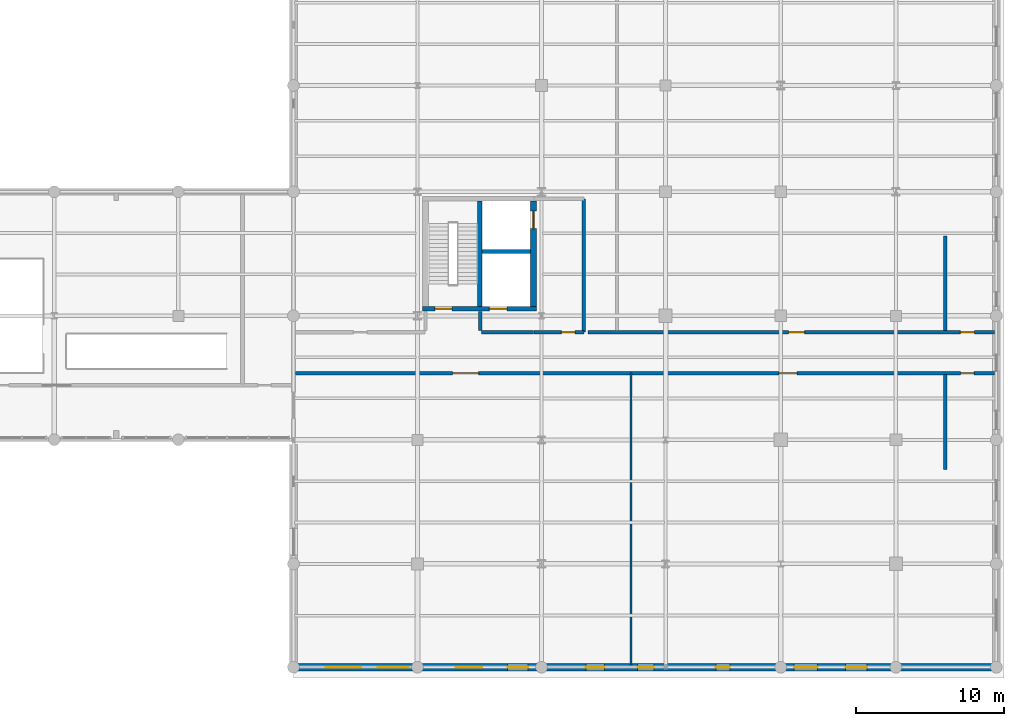
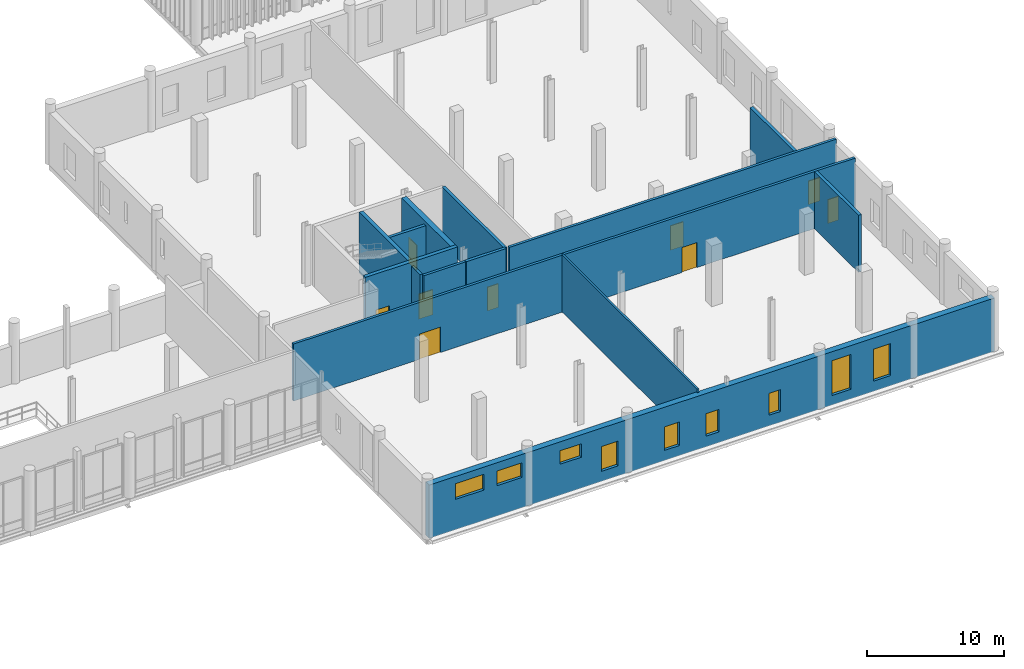
# One storey, part 110 of 128: 14 walls, 9 doors, 9 windows, 18 openings.
"""IFC4 building model written with IfcOpenShell, lengths in metres."""

import ifcopenshell
import ifcopenshell.guid

model = None  # the IFC model being written
_history = None  # IfcOwnerHistory: only IFC2X3 demands one
_inside = {}  # id of a spatial element -> (the spatial element, [elements in it])
_under = {}  # id of a project, library or spatial element -> (it, [spatial elements below it])
_declared = {}  # id of a project -> (the project, [libraries it declares])
_typed = {}  # id of a type object -> (the type object, [elements of that type])
_made_of = {}  # id of a material, layer set ... -> (it, [elements and type objects made of it])


def new_model(schema):
    """Start an empty IFC model of exactly this schema.

    Asked for "IFC4X3", IfcOpenShell would pick the latest addendum, in which some entities
    have other attributes; the version numbers below select the first issue.
    IFC2X3 requires an IfcOwnerHistory on every rooted entity: one is made here for all.
    """
    global model, _history
    if schema == "IFC4X3":
        model = ifcopenshell.file(schema_version=(4, 3, 0, 0))
    else:
        model = ifcopenshell.file(schema=schema)
    _inside.clear()
    _under.clear()
    _declared.clear()
    _typed.clear()
    _made_of.clear()
    _history = None
    if model.schema == "IFC2X3":
        org = make("IfcOrganization", Name="unknown")
        user = make(
            "IfcPersonAndOrganization",
            ThePerson=make("IfcPerson", FamilyName="unknown"),
            TheOrganization=org,
        )
        app = make(
            "IfcApplication",
            ApplicationDeveloper=org,
            Version="unknown",
            ApplicationFullName="unknown",
            ApplicationIdentifier="unknown",
        )
        _history = make(
            "IfcOwnerHistory",
            OwningUser=user,
            OwningApplication=app,
            ChangeAction="ADDED",
            CreationDate=0,
        )
    return model


def make(cls, **values):
    """One entity of the class cls with the attributes given. An attribute that is None is left unset."""
    return model.create_entity(
        cls, **{name: value for name, value in values.items() if value is not None}
    )


def rooted(cls, **values):
    """An entity with a GlobalId (a new one), such as an element, a storey or a relation."""
    return make(cls, GlobalId=ifcopenshell.guid.new(), OwnerHistory=_history, **values)


def si_unit(unit_type, name, prefix=None):
    """IfcSIUnit, for example si_unit("LENGTHUNIT", "METRE", prefix="MILLI")."""
    return make("IfcSIUnit", UnitType=unit_type, Prefix=prefix, Name=name)


def assignment(units):
    """IfcUnitAssignment: the units of a project."""
    return None if units is None else make("IfcUnitAssignment", Units=units)


def point(xyz):
    """IfcCartesianPoint."""
    return None if xyz is None else make("IfcCartesianPoint", Coordinates=xyz)


def direction(xyz):
    """IfcDirection."""
    return None if xyz is None else make("IfcDirection", DirectionRatios=xyz)


def frame(location, z_axis=None, x_axis=None):
    """IfcAxis2Placement3D, a coordinate frame: its origin and axes. An axis left out is left unset."""
    return make(
        "IfcAxis2Placement3D",
        Location=point(location),
        Axis=direction(z_axis),
        RefDirection=direction(x_axis),
    )


def frame_2d(location, x_axis=None):
    """IfcAxis2Placement2D, a coordinate frame in the plane: its origin and x axis."""
    return make(
        "IfcAxis2Placement2D", Location=point(location), RefDirection=direction(x_axis)
    )


def origin_with_axes():
    """The frame at (0, 0, 0) with the z axis (0, 0, 1) and the x axis (1, 0, 0) written out."""
    return frame((0.0, 0.0, 0.0), z_axis=(0.0, 0.0, 1.0), x_axis=(1.0, 0.0, 0.0))


def place(relative_to, where):
    """IfcLocalPlacement: puts the frame where relative to a parent placement (None: the world)."""
    return make(
        "IfcLocalPlacement", PlacementRelTo=relative_to, RelativePlacement=where
    )


def context(
    kind, dimensions, precision=None, world=None, true_north=None, identifier=None
):
    """IfcGeometricRepresentationContext, for example the 3D "Model" context."""
    return make(
        "IfcGeometricRepresentationContext",
        ContextIdentifier=identifier,
        ContextType=kind,
        CoordinateSpaceDimension=dimensions,
        Precision=precision,
        WorldCoordinateSystem=world,
        TrueNorth=true_north,
    )


def subcontext(parent, identifier, kind, view, scale=None):
    """IfcGeometricRepresentationSubContext, for example "Body" below "Model"."""
    return make(
        "IfcGeometricRepresentationSubContext",
        ContextIdentifier=identifier,
        ContextType=kind,
        ParentContext=parent,
        TargetScale=scale,
        TargetView=view,
    )


def project(units=None, contexts=None):
    """IfcProject with its units and contexts."""
    return rooted(
        "IfcProject",
        Name="project",
        RepresentationContexts=contexts,
        UnitsInContext=assignment(units),
    )


def spatial(cls, under=None, at=None, **own):
    """A site, building, storey or space (cls), placed at a placement, below another one or the project."""
    s = rooted(cls, ObjectPlacement=at, **own)
    if under is not None:
        _under.setdefault(under.id(), (under, []))[1].append(s)
    return s


def profile(cls, at=None, kind="AREA", **sizes):
    """A parametric profile (cls). Its sizes go by their IFC names, for example OverallWidth=200.0."""
    return make(cls, ProfileType=kind, Position=at, **sizes)


def rectangle(**sizes):
    """IfcRectangleProfileDef."""
    return profile("IfcRectangleProfileDef", **sizes)


def extrude(swept, where, along, depth):
    """IfcExtrudedAreaSolid: the profile swept, set in the frame where, extruded along a direction by depth."""
    return make(
        "IfcExtrudedAreaSolid",
        SweptArea=swept,
        Position=where,
        ExtrudedDirection=direction(along),
        Depth=depth,
    )


def shape(context_of_items, identifier, shape_type, items):
    """IfcShapeRepresentation: the items that make up one representation, for example the "Body"."""
    return make(
        "IfcShapeRepresentation",
        ContextOfItems=context_of_items,
        RepresentationIdentifier=identifier,
        RepresentationType=shape_type,
        Items=items,
    )


def material(Name=None, Category=None):
    """IfcMaterial."""
    return make("IfcMaterial", Name=Name, Category=Category)


def layer(
    of_material, thickness, ventilated=None, Name=None, Category=None, Priority=None
):
    """IfcMaterialLayer: one layer of a wall or slab, of a material (None: an air gap)."""
    return make(
        "IfcMaterialLayer",
        Material=of_material,
        LayerThickness=thickness,
        IsVentilated=ventilated,
        Name=Name,
        Category=Category,
        Priority=Priority,
    )


def layer_set(layers, Name=None):
    """IfcMaterialLayerSet."""
    return make("IfcMaterialLayerSet", MaterialLayers=layers, LayerSetName=Name)


def made_of(thing, what):
    """Note that an element or type object is made of a material, layer set ...; save() writes the relation."""
    if what is not None:
        _made_of.setdefault(what.id(), (what, []))[1].append(thing)
    return thing


def type_object(cls, material=None, **own):
    """A type object (cls), such as IfcWallType, which elements share."""
    return made_of(rooted(cls, **own), material)


def element(
    cls,
    number,
    at=None,
    inside=None,
    cuts=None,
    type_object=None,
    material=None,
    context=None,
    identifier="Body",
    shape_type=None,
    held_by="IfcProductDefinitionShape",
    body=None,
    shapes=None,
    **own,
):
    """One element of the class cls, such as IfcWall. Its Tag is "e" and its number.

    at: its placement. inside: the storey or other place that contains it. cuts: it is an
    opening in that element (IfcRelVoidsElement). A single representation is given by context,
    identifier, shape_type and body (its items); several are given by shapes. held_by: the class
    of the entity that holds the representations. save() writes the other relations.
    """
    e = rooted(cls, Tag="e%d" % number, ObjectPlacement=at, **own)
    if body is not None:
        shapes = [shape(context, identifier, shape_type, body)]
    if shapes is not None:
        e.Representation = make(held_by, Representations=shapes)
    if inside is not None:
        _inside.setdefault(inside.id(), (inside, []))[1].append(e)
    if cuts is not None:
        rooted(
            "IfcRelVoidsElement", RelatingBuildingElement=cuts, RelatedOpeningElement=e
        )
    if type_object is not None:
        _typed.setdefault(type_object.id(), (type_object, []))[1].append(e)
    return made_of(e, material)


def fill(opening, filler):
    """IfcRelFillsElement: the door or window that sits in an opening."""
    return rooted(
        "IfcRelFillsElement",
        RelatingOpeningElement=opening,
        RelatedBuildingElement=filler,
    )


def aggregate(whole, parts):
    """IfcRelAggregates: a whole, such as a stair, and the parts it consists of."""
    return rooted("IfcRelAggregates", RelatingObject=whole, RelatedObjects=parts)


def save(model, path):
    """Write the relations noted so far, then the file.

    IfcRelAggregates (storeys below a building ...), IfcRelContainedInSpatialStructure (elements
    in a storey), IfcRelDefinesByType, IfcRelAssociatesMaterial and IfcRelDeclares: one each for
    every whole, place, type object, material and project.
    """
    for whole, parts in _under.values():
        aggregate(whole, parts)
    for where, things in _inside.values():
        rooted(
            "IfcRelContainedInSpatialStructure",
            RelatedElements=things,
            RelatingStructure=where,
        )
    for kind, things in _typed.values():
        rooted("IfcRelDefinesByType", RelatedObjects=things, RelatingType=kind)
    for what, things in _made_of.values():
        rooted("IfcRelAssociatesMaterial", RelatedObjects=things, RelatingMaterial=what)
    for by, libraries in _declared.values():
        rooted("IfcRelDeclares", RelatingContext=by, RelatedDefinitions=libraries)
    model.write(path)


model = new_model("IFC4")

# Units and contexts
model_context = context("Model", 3, precision=1e-05, world=origin_with_axes(), true_north=direction((0.0, 1.0)))
body_context = subcontext(model_context, "Body", "Model", "MODEL_VIEW")
ifc_project = project(units=[si_unit("LENGTHUNIT", "METRE"), si_unit("AREAUNIT", "SQUARE_METRE"), si_unit("VOLUMEUNIT", "CUBIC_METRE"), si_unit("PLANEANGLEUNIT", "RADIAN"), si_unit("MASSUNIT", "GRAM", prefix="KILO"), si_unit("THERMODYNAMICTEMPERATUREUNIT", "KELVIN")], contexts=[model_context])

# Site, building, storey
site_placement = place(None, origin_with_axes())
site = spatial("IfcSite", under=ifc_project, at=site_placement, CompositionType="ELEMENT")
building_placement = place(site_placement, origin_with_axes())
building = spatial("IfcBuilding", under=site, at=building_placement, Name="Montbau Bow Law Courts", CompositionType="ELEMENT")
storey_placement = place(building_placement, frame((0.0, 0.0, 5.4), z_axis=(0.0, 0.0, 1.0), x_axis=(1.0, 0.0, 0.0)))
storey = spatial("IfcBuildingStorey", under=building, at=storey_placement, Name="L01", CompositionType="ELEMENT", Elevation=5.4)

# Wall, opening, door
ifc_material_1 = material(Name="Concrete CSA A23.1 f'c 45 MPa", Category="concrete")
ifc_layer_1 = layer(ifc_material_1, 0.42, Name="Shear Wall", Category="concrete")
ifc_layer_set_1 = layer_set([ifc_layer_1], Name="Concrete CSA A23.1 f'c 45 MPa")
wall_type_1 = type_object("IfcWallType", Name="W-COR-03", PredefinedType="SHEAR", material=ifc_layer_set_1)
wall_1_placement = place(None, frame((138.06, 31.24, 5.4), z_axis=(0.0, 0.0, 1.0), x_axis=(0.0, 1.0, 0.0)))
wall_1 = element("IfcWall", 1, at=wall_1_placement, inside=storey, type_object=wall_type_1, Name="WC-L01-0500:wal_0567", PredefinedType="SHEAR", context=body_context, shape_type="SweptSolid", body=[
    extrude(rectangle(XDim=7.120000000000001, YDim=0.42, at=frame_2d((3.56, 0.0), x_axis=(1.0, 0.0))), origin_with_axes(), (0.0, 0.0, 1.0), 5.4),
])
opening_1_placement = place(None, frame((138.06, 37.1, 5.4), z_axis=(0.0, 0.0, 1.0), x_axis=(0.0, 1.0, 0.0)))
opening_1 = element("IfcOpeningElement", 2, at=opening_1_placement, cuts=wall_1, Name="OP-LD-L01-EL-C2", PredefinedType="OPENING", context=body_context, shape_type="SweptSolid", body=[
    extrude(rectangle(XDim=1.18, YDim=2.24, at=frame_2d((0.0, 1.12), x_axis=(1.0, 0.0))), frame((0.0, 0.22, 0.0), z_axis=(0.0, -1.0, 0.0), x_axis=(1.0, 0.0, 0.0)), (0.0, 0.0, 1.0), 0.44),
])
ifc_material_2 = material(Name="Heavy-Gauge Security Custody Elevator Landing Door", Category="steel")
door_type_1 = type_object("IfcDoorType", Name="LD-CUS-01", OperationType="NOTDEFINED", ParameterTakesPrecedence=False, PredefinedType="DOOR", material=ifc_material_2)
door_1_placement = place(None, frame((138.06, 37.1, 5.4), z_axis=(0.0, 0.0, 1.0), x_axis=(0.0, 1.0, 0.0)))
door_1 = element("IfcDoor", 3, at=door_1_placement, inside=storey, type_object=door_type_1, Name="LD-L01-EL-C2:dor_0225", OperationType="SLIDING_TO_LEFT", OverallHeight=2.24, OverallWidth=1.18, PredefinedType="DOOR", context=body_context, shape_type="SweptSolid", body=[
    extrude(rectangle(XDim=1.18, YDim=2.24, at=frame_2d((0.0, 1.12), x_axis=(1.0, 0.0))), frame((0.0, 0.04, 0.0), z_axis=(0.0, -1.0, 0.0), x_axis=(1.0, 0.0, 0.0)), (0.0, 0.0, 1.0), 0.08),
])
fill(opening_1, door_1)

# Wall, openings, doors
ifc_layer_2 = layer(ifc_material_1, 0.32, Name="Shear Wall", Category="concrete")
ifc_layer_set_2 = layer_set([ifc_layer_2], Name="Concrete CSA A23.1 f'c 45 MPa")
wall_type_2 = type_object("IfcWallType", Name="W-COR-05", PredefinedType="SHEAR", material=ifc_layer_set_2)
wall_2_placement = place(None, frame((130.53, 31.08, 5.4), z_axis=(0.0, 0.0, 1.0), x_axis=(1.0, 0.0, 0.0)))
wall_2 = element("IfcWall", 4, at=wall_2_placement, inside=storey, type_object=wall_type_2, Name="WC-L01-0498:wal_0565", PredefinedType="SHEAR", context=body_context, shape_type="SweptSolid", body=[
    extrude(rectangle(XDim=7.740000000000009, YDim=0.32, at=frame_2d((3.87, 0.0), x_axis=(1.0, 0.0))), origin_with_axes(), (0.0, 0.0, 1.0), 5.4),
])
opening_2_placement = place(None, frame((131.95, 31.08, 5.4), z_axis=(0.0, 0.0, 1.0), x_axis=(1.0, 0.0, 0.0)))
opening_2 = element("IfcOpeningElement", 5, at=opening_2_placement, cuts=wall_2, Name="OP-D-L01-ST-C1", PredefinedType="OPENING", context=body_context, shape_type="SweptSolid", body=[
    extrude(rectangle(XDim=1.14, YDim=2.18, at=frame_2d((0.0, 1.09), x_axis=(1.0, 0.0))), frame((0.0, 0.17, 0.0), z_axis=(0.0, -1.0, 0.0), x_axis=(1.0, 0.0, 0.0)), (0.0, 0.0, 1.0), 0.34),
])
opening_3_placement = place(None, frame((135.66, 31.08, 5.4), z_axis=(0.0, 0.0, 1.0), x_axis=(1.0, 0.0, 0.0)))
opening_3 = element("IfcOpeningElement", 6, at=opening_3_placement, cuts=wall_2, Name="OP-LD-L01-EL-C1", PredefinedType="OPENING", context=body_context, shape_type="SweptSolid", body=[
    extrude(rectangle(XDim=1.18, YDim=2.24, at=frame_2d((0.0, 1.12), x_axis=(1.0, 0.0))), frame((0.0, 0.17, 0.0), z_axis=(0.0, -1.0, 0.0), x_axis=(1.0, 0.0, 0.0)), (0.0, 0.0, 1.0), 0.34),
])
ifc_material_3 = material(Name="1.5 h Fire-Rated Hollow-Metal Exit Stair Door", Category="steel")
door_type_2 = type_object("IfcDoorType", Name="D-ST-01", OperationType="NOTDEFINED", ParameterTakesPrecedence=False, PredefinedType="DOOR", material=ifc_material_3)
door_2_placement = place(None, frame((131.95, 31.08, 5.4), z_axis=(0.0, 0.0, 1.0), x_axis=(-1.0, 0.0, 0.0)))
door_2 = element("IfcDoor", 7, at=door_2_placement, inside=storey, type_object=door_type_2, Name="D-L01-ST-C1:dor_0223", OperationType="SINGLE_SWING_LEFT", OverallHeight=2.18, OverallWidth=1.14, PredefinedType="DOOR", context=body_context, shape_type="SweptSolid", body=[
    extrude(rectangle(XDim=1.14, YDim=2.18, at=frame_2d((0.0, 1.09), x_axis=(1.0, 0.0))), frame((0.0, 0.04, 0.0), z_axis=(0.0, -1.0, 0.0), x_axis=(1.0, 0.0, 0.0)), (0.0, 0.0, 1.0), 0.08),
])
fill(opening_2, door_2)
door_3_placement = place(None, frame((135.66, 31.08, 5.4), z_axis=(0.0, 0.0, 1.0), x_axis=(-1.0, 0.0, 0.0)))
door_3 = element("IfcDoor", 8, at=door_3_placement, inside=storey, type_object=door_type_1, Name="LD-L01-EL-C1:dor_0224", OperationType="SLIDING_TO_LEFT", OverallHeight=2.24, OverallWidth=1.18, PredefinedType="DOOR", context=body_context, shape_type="SweptSolid", body=[
    extrude(rectangle(XDim=1.18, YDim=2.24, at=frame_2d((0.0, 1.12), x_axis=(1.0, 0.0))), frame((0.0, 0.04, 0.0), z_axis=(0.0, -1.0, 0.0), x_axis=(1.0, 0.0, 0.0)), (0.0, 0.0, 1.0), 0.08),
])
fill(opening_3, door_3)

# Wall
wall_3_placement = place(None, frame((134.42, 31.24, 5.4), z_axis=(0.0, 0.0, 1.0), x_axis=(0.0, 1.0, 0.0)))
element("IfcWall", 9, at=wall_3_placement, inside=storey, type_object=wall_type_2, Name="WS-L01-0502:wal_0569", PredefinedType="SHEAR", context=body_context, shape_type="SweptSolid", body=[
    extrude(rectangle(XDim=7.120000000000001, YDim=0.32, at=frame_2d((3.56, 0.0), x_axis=(1.0, 0.0))), origin_with_axes(), (0.0, 0.0, 1.0), 5.4),
])

# Wall, openings, windows
ifc_material_4 = material(Name="Canmore Rundlestone Plinth Masonry on Concrete Backing CSA A23.1 f'c 35 MPa", Category="masonry")
ifc_layer_3 = layer(ifc_material_4, 0.52, Name="Solid Wall", Category="masonry")
ifc_layer_set_3 = layer_set([ifc_layer_3], Name="Canmore Rundlestone Plinth Masonry on Concrete Backing CSA A23.1 f'c 35 MPa")
wall_type_3 = type_object("IfcWallType", Name="W-EXT-02", PredefinedType="SOLIDWALL", material=ifc_layer_set_3)
wall_4_placement = place(None, frame((121.8, 6.8, 5.4), z_axis=(0.0, 0.0, 1.0), x_axis=(1.0, 0.0, 0.0)))
wall_4 = element("IfcWall", 10, at=wall_4_placement, inside=storey, type_object=wall_type_3, Name="WE-L01-015:wal_0032", PredefinedType="SOLIDWALL", context=body_context, shape_type="SweptSolid", body=[
    extrude(rectangle(XDim=47.60000000000001, YDim=0.52, at=frame_2d((23.8, 0.0), x_axis=(1.0, 0.0))), origin_with_axes(), (0.0, 0.0, 1.0), 4.744),
])
opening_4_placement = place(None, frame((125.2, 6.8, 8.1), z_axis=(0.0, 0.0, 1.0), x_axis=(1.0, 0.0, 0.0)))
opening_4 = element("IfcOpeningElement", 11, at=opening_4_placement, cuts=wall_4, Name="OP-WN-L01-092", PredefinedType="OPENING", context=body_context, shape_type="SweptSolid", body=[
    extrude(rectangle(XDim=2.4, YDim=1.4, at=frame_2d((0.0, 0.7), x_axis=(1.0, 0.0))), frame((0.0, 0.27, 0.0), z_axis=(0.0, -1.0, 0.0), x_axis=(1.0, 0.0, 0.0)), (0.0, 0.0, 1.0), 0.54),
])
opening_5_placement = place(None, frame((128.55, 6.8, 8.1), z_axis=(0.0, 0.0, 1.0), x_axis=(1.0, 0.0, 0.0)))
opening_5 = element("IfcOpeningElement", 12, at=opening_5_placement, cuts=wall_4, Name="OP-WN-L01-093", PredefinedType="OPENING", context=body_context, shape_type="SweptSolid", body=[
    extrude(rectangle(XDim=2.1, YDim=1.3, at=frame_2d((0.0, 0.65), x_axis=(1.0, 0.0))), frame((0.0, 0.27, 0.0), z_axis=(0.0, -1.0, 0.0), x_axis=(1.0, 0.0, 0.0)), (0.0, 0.0, 1.0), 0.54),
])
opening_6_placement = place(None, frame((133.7, 6.8, 8.15), z_axis=(0.0, 0.0, 1.0), x_axis=(1.0, 0.0, 0.0)))
opening_6 = element("IfcOpeningElement", 13, at=opening_6_placement, cuts=wall_4, Name="OP-WN-L01-094", PredefinedType="OPENING", context=body_context, shape_type="SweptSolid", body=[
    extrude(rectangle(XDim=1.8, YDim=1.2, at=frame_2d((0.0, 0.6), x_axis=(1.0, 0.0))), frame((0.0, 0.27, 0.0), z_axis=(0.0, -1.0, 0.0), x_axis=(1.0, 0.0, 0.0)), (0.0, 0.0, 1.0), 0.54),
])
opening_7_placement = place(None, frame((137.0, 6.8, 6.3), z_axis=(0.0, 0.0, 1.0), x_axis=(1.0, 0.0, 0.0)))
opening_7 = element("IfcOpeningElement", 14, at=opening_7_placement, cuts=wall_4, Name="OP-WN-L01-095", PredefinedType="OPENING", context=body_context, shape_type="SweptSolid", body=[
    extrude(rectangle(XDim=1.4, YDim=2.2, at=frame_2d((0.0, 1.1), x_axis=(1.0, 0.0))), frame((0.0, 0.27, 0.0), z_axis=(0.0, -1.0, 0.0), x_axis=(1.0, 0.0, 0.0)), (0.0, 0.0, 1.0), 0.54),
])
opening_8_placement = place(None, frame((142.225, 6.8, 6.3), z_axis=(0.0, 0.0, 1.0), x_axis=(1.0, 0.0, 0.0)))
opening_8 = element("IfcOpeningElement", 15, at=opening_8_placement, cuts=wall_4, Name="OP-WN-L01-096", PredefinedType="OPENING", context=body_context, shape_type="SweptSolid", body=[
    extrude(rectangle(XDim=1.25, YDim=2.1, at=frame_2d((0.0, 1.05), x_axis=(1.0, 0.0))), frame((0.0, 0.27, 0.0), z_axis=(0.0, -1.0, 0.0), x_axis=(1.0, 0.0, 0.0)), (0.0, 0.0, 1.0), 0.54),
])
opening_9_placement = place(None, frame((145.65, 6.8, 6.35), z_axis=(0.0, 0.0, 1.0), x_axis=(1.0, 0.0, 0.0)))
opening_9 = element("IfcOpeningElement", 16, at=opening_9_placement, cuts=wall_4, Name="OP-WN-L01-097", PredefinedType="OPENING", context=body_context, shape_type="SweptSolid", body=[
    extrude(rectangle(XDim=1.1, YDim=2.0, at=frame_2d((0.0, 1.0), x_axis=(1.0, 0.0))), frame((0.0, 0.27, 0.0), z_axis=(0.0, -1.0, 0.0), x_axis=(1.0, 0.0, 0.0)), (0.0, 0.0, 1.0), 0.54),
])
opening_10_placement = place(None, frame((150.875, 6.8, 6.35), z_axis=(0.0, 0.0, 1.0), x_axis=(1.0, 0.0, 0.0)))
opening_10 = element("IfcOpeningElement", 17, at=opening_10_placement, cuts=wall_4, Name="OP-WN-L01-098", PredefinedType="OPENING", context=body_context, shape_type="SweptSolid", body=[
    extrude(rectangle(XDim=0.95, YDim=1.95, at=frame_2d((0.0, 0.975), x_axis=(1.0, 0.0))), frame((0.0, 0.27, 0.0), z_axis=(0.0, -1.0, 0.0), x_axis=(1.0, 0.0, 0.0)), (0.0, 0.0, 1.0), 0.54),
])
opening_11_placement = place(None, frame((156.5, 6.8, 6.25), z_axis=(0.0, 0.0, 1.0), x_axis=(1.0, 0.0, 0.0)))
opening_11 = element("IfcOpeningElement", 18, at=opening_11_placement, cuts=wall_4, Name="OP-WN-L01-099", PredefinedType="OPENING", context=body_context, shape_type="SweptSolid", body=[
    extrude(rectangle(XDim=1.6, YDim=3.1, at=frame_2d((0.0, 1.55), x_axis=(1.0, 0.0))), frame((0.0, 0.27, 0.0), z_axis=(0.0, -1.0, 0.0), x_axis=(1.0, 0.0, 0.0)), (0.0, 0.0, 1.0), 0.54),
])
opening_12_placement = place(None, frame((159.925, 6.8, 6.3), z_axis=(0.0, 0.0, 1.0), x_axis=(1.0, 0.0, 0.0)))
opening_12 = element("IfcOpeningElement", 19, at=opening_12_placement, cuts=wall_4, Name="OP-WN-L01-100", PredefinedType="OPENING", context=body_context, shape_type="SweptSolid", body=[
    extrude(rectangle(XDim=1.45, YDim=2.85, at=frame_2d((0.0, 1.425), x_axis=(1.0, 0.0))), frame((0.0, 0.27, 0.0), z_axis=(0.0, -1.0, 0.0), x_axis=(1.0, 0.0, 0.0)), (0.0, 0.0, 1.0), 0.54),
])
ifc_material_5 = material(Name="Triple-Glazed Low-E Argon Insulating Glass Unit", Category="glass")
window_type_1 = type_object("IfcWindowType", Name="WN-CHM-01", ParameterTakesPrecedence=False, PartitioningType="SINGLE_PANEL", PredefinedType="WINDOW", material=ifc_material_5)
window_1_placement = place(None, frame((137.0, 6.8, 6.3), z_axis=(0.0, 0.0, 1.0), x_axis=(1.0, 0.0, 0.0)))
window_1 = element("IfcWindow", 20, at=window_1_placement, inside=storey, type_object=window_type_1, Name="WN-L01-095:win_0095", OverallHeight=2.2, OverallWidth=1.4, PartitioningType="SINGLE_PANEL", PredefinedType="WINDOW", context=body_context, shape_type="SweptSolid", body=[
    extrude(rectangle(XDim=1.4, YDim=2.2, at=frame_2d((0.0, 1.1), x_axis=(1.0, 0.0))), frame((0.0, 0.03, 0.0), z_axis=(0.0, -1.0, 0.0), x_axis=(1.0, 0.0, 0.0)), (0.0, 0.0, 1.0), 0.06),
])
fill(opening_7, window_1)
window_type_2 = type_object("IfcWindowType", Name="WN-CHM-02", ParameterTakesPrecedence=False, PartitioningType="SINGLE_PANEL", PredefinedType="WINDOW", material=ifc_material_5)
window_2_placement = place(None, frame((142.225, 6.8, 6.3), z_axis=(0.0, 0.0, 1.0), x_axis=(1.0, 0.0, 0.0)))
window_2 = element("IfcWindow", 21, at=window_2_placement, inside=storey, type_object=window_type_2, Name="WN-L01-096:win_0096", OverallHeight=2.1, OverallWidth=1.25, PartitioningType="SINGLE_PANEL", PredefinedType="WINDOW", context=body_context, shape_type="SweptSolid", body=[
    extrude(rectangle(XDim=1.25, YDim=2.1, at=frame_2d((0.0, 1.05), x_axis=(1.0, 0.0))), frame((0.0, 0.03, 0.0), z_axis=(0.0, -1.0, 0.0), x_axis=(1.0, 0.0, 0.0)), (0.0, 0.0, 1.0), 0.06),
])
fill(opening_8, window_2)
window_type_3 = type_object("IfcWindowType", Name="WN-CHM-03", ParameterTakesPrecedence=False, PartitioningType="SINGLE_PANEL", PredefinedType="WINDOW", material=ifc_material_5)
window_3_placement = place(None, frame((145.65, 6.8, 6.35), z_axis=(0.0, 0.0, 1.0), x_axis=(1.0, 0.0, 0.0)))
window_3 = element("IfcWindow", 22, at=window_3_placement, inside=storey, type_object=window_type_3, Name="WN-L01-097:win_0097", OverallHeight=2.0, OverallWidth=1.1, PartitioningType="SINGLE_PANEL", PredefinedType="WINDOW", context=body_context, shape_type="SweptSolid", body=[
    extrude(rectangle(XDim=1.1, YDim=2.0, at=frame_2d((0.0, 1.0), x_axis=(1.0, 0.0))), frame((0.0, 0.03, 0.0), z_axis=(0.0, -1.0, 0.0), x_axis=(1.0, 0.0, 0.0)), (0.0, 0.0, 1.0), 0.06),
])
fill(opening_9, window_3)
window_type_4 = type_object("IfcWindowType", Name="WN-CHM-04", ParameterTakesPrecedence=False, PartitioningType="SINGLE_PANEL", PredefinedType="WINDOW", material=ifc_material_5)
window_4_placement = place(None, frame((150.875, 6.8, 6.35), z_axis=(0.0, 0.0, 1.0), x_axis=(1.0, 0.0, 0.0)))
window_4 = element("IfcWindow", 23, at=window_4_placement, inside=storey, type_object=window_type_4, Name="WN-L01-098:win_0098", OverallHeight=1.95, OverallWidth=0.95, PartitioningType="SINGLE_PANEL", PredefinedType="WINDOW", context=body_context, shape_type="SweptSolid", body=[
    extrude(rectangle(XDim=0.95, YDim=1.95, at=frame_2d((0.0, 0.975), x_axis=(1.0, 0.0))), frame((0.0, 0.03, 0.0), z_axis=(0.0, -1.0, 0.0), x_axis=(1.0, 0.0, 0.0)), (0.0, 0.0, 1.0), 0.06),
])
fill(opening_10, window_4)
window_type_5 = type_object("IfcWindowType", Name="WN-CRT-01", ParameterTakesPrecedence=False, PartitioningType="SINGLE_PANEL", PredefinedType="WINDOW", material=ifc_material_5)
window_5_placement = place(None, frame((125.2, 6.8, 8.1), z_axis=(0.0, 0.0, 1.0), x_axis=(1.0, 0.0, 0.0)))
window_5 = element("IfcWindow", 24, at=window_5_placement, inside=storey, type_object=window_type_5, Name="WN-L01-092:win_0092", OverallHeight=1.4, OverallWidth=2.4, PartitioningType="SINGLE_PANEL", PredefinedType="WINDOW", context=body_context, shape_type="SweptSolid", body=[
    extrude(rectangle(XDim=2.4, YDim=1.4, at=frame_2d((0.0, 0.7), x_axis=(1.0, 0.0))), frame((0.0, 0.03, 0.0), z_axis=(0.0, -1.0, 0.0), x_axis=(1.0, 0.0, 0.0)), (0.0, 0.0, 1.0), 0.06),
])
fill(opening_4, window_5)
window_type_6 = type_object("IfcWindowType", Name="WN-CRT-02", ParameterTakesPrecedence=False, PartitioningType="SINGLE_PANEL", PredefinedType="WINDOW", material=ifc_material_5)
window_6_placement = place(None, frame((128.55, 6.8, 8.1), z_axis=(0.0, 0.0, 1.0), x_axis=(1.0, 0.0, 0.0)))
window_6 = element("IfcWindow", 25, at=window_6_placement, inside=storey, type_object=window_type_6, Name="WN-L01-093:win_0093", OverallHeight=1.3, OverallWidth=2.1, PartitioningType="SINGLE_PANEL", PredefinedType="WINDOW", context=body_context, shape_type="SweptSolid", body=[
    extrude(rectangle(XDim=2.1, YDim=1.3, at=frame_2d((0.0, 0.65), x_axis=(1.0, 0.0))), frame((0.0, 0.03, 0.0), z_axis=(0.0, -1.0, 0.0), x_axis=(1.0, 0.0, 0.0)), (0.0, 0.0, 1.0), 0.06),
])
fill(opening_5, window_6)
window_type_7 = type_object("IfcWindowType", Name="WN-CRT-03", ParameterTakesPrecedence=False, PartitioningType="SINGLE_PANEL", PredefinedType="WINDOW", material=ifc_material_5)
window_7_placement = place(None, frame((133.7, 6.8, 8.15), z_axis=(0.0, 0.0, 1.0), x_axis=(1.0, 0.0, 0.0)))
window_7 = element("IfcWindow", 26, at=window_7_placement, inside=storey, type_object=window_type_7, Name="WN-L01-094:win_0094", OverallHeight=1.2, OverallWidth=1.8, PartitioningType="SINGLE_PANEL", PredefinedType="WINDOW", context=body_context, shape_type="SweptSolid", body=[
    extrude(rectangle(XDim=1.8, YDim=1.2, at=frame_2d((0.0, 0.6), x_axis=(1.0, 0.0))), frame((0.0, 0.03, 0.0), z_axis=(0.0, -1.0, 0.0), x_axis=(1.0, 0.0, 0.0)), (0.0, 0.0, 1.0), 0.06),
])
fill(opening_6, window_7)
window_type_8 = type_object("IfcWindowType", Name="WN-LIB-01", ParameterTakesPrecedence=False, PartitioningType="SINGLE_PANEL", PredefinedType="WINDOW", material=ifc_material_5)
window_8_placement = place(None, frame((156.5, 6.8, 6.25), z_axis=(0.0, 0.0, 1.0), x_axis=(1.0, 0.0, 0.0)))
window_8 = element("IfcWindow", 27, at=window_8_placement, inside=storey, type_object=window_type_8, Name="WN-L01-099:win_0099", OverallHeight=3.1, OverallWidth=1.6, PartitioningType="SINGLE_PANEL", PredefinedType="WINDOW", context=body_context, shape_type="SweptSolid", body=[
    extrude(rectangle(XDim=1.6, YDim=3.1, at=frame_2d((0.0, 1.55), x_axis=(1.0, 0.0))), frame((0.0, 0.03, 0.0), z_axis=(0.0, -1.0, 0.0), x_axis=(1.0, 0.0, 0.0)), (0.0, 0.0, 1.0), 0.06),
])
fill(opening_11, window_8)
window_type_9 = type_object("IfcWindowType", Name="WN-LIB-02", ParameterTakesPrecedence=False, PartitioningType="SINGLE_PANEL", PredefinedType="WINDOW", material=ifc_material_5)
window_9_placement = place(None, frame((159.925, 6.8, 6.3), z_axis=(0.0, 0.0, 1.0), x_axis=(1.0, 0.0, 0.0)))
window_9 = element("IfcWindow", 28, at=window_9_placement, inside=storey, type_object=window_type_9, Name="WN-L01-100:win_0100", OverallHeight=2.85, OverallWidth=1.45, PartitioningType="SINGLE_PANEL", PredefinedType="WINDOW", context=body_context, shape_type="SweptSolid", body=[
    extrude(rectangle(XDim=1.45, YDim=2.85, at=frame_2d((0.0, 1.425), x_axis=(1.0, 0.0))), frame((0.0, 0.03, 0.0), z_axis=(0.0, -1.0, 0.0), x_axis=(1.0, 0.0, 0.0)), (0.0, 0.0, 1.0), 0.06),
])
fill(opening_12, window_9)

# Walls
ifc_material_6 = material(Name="Double-Stud Acoustic Plumbing Chase Gypsum Assembly", Category="gypsum")
ifc_layer_4 = layer(ifc_material_6, 0.26, Name="Plumbing Wall", Category="gypsum")
ifc_layer_set_4 = layer_set([ifc_layer_4], Name="Double-Stud Acoustic Plumbing Chase Gypsum Assembly")
wall_type_4 = type_object("IfcWallType", Name="W-PLM-01", PredefinedType="PLUMBINGWALL", material=ifc_layer_set_4)
wall_5_placement = place(None, frame((165.94, 29.59, 5.4), z_axis=(0.0, 0.0, 1.0), x_axis=(0.0, 1.0, 0.0)))
element("IfcWall", 29, at=wall_5_placement, inside=storey, type_object=wall_type_4, Name="WD-L01-0724:wal_0791", PredefinedType="PLUMBINGWALL", context=body_context, shape_type="SweptSolid", body=[
    extrude(rectangle(XDim=6.430000000000003, YDim=0.26, at=frame_2d((3.215, 0.0), x_axis=(1.0, 0.0))), origin_with_axes(), (0.0, 0.0, 1.0), 5.08),
])
wall_6_placement = place(None, frame((165.94, 20.18, 5.4), z_axis=(0.0, 0.0, 1.0), x_axis=(0.0, 1.0, 0.0)))
element("IfcWall", 30, at=wall_6_placement, inside=storey, type_object=wall_type_4, Name="WD-L01-0725:wal_0792", PredefinedType="PLUMBINGWALL", context=body_context, shape_type="SweptSolid", body=[
    extrude(rectangle(XDim=6.43, YDim=0.26, at=frame_2d((3.215, 0.0), x_axis=(1.0, 0.0))), origin_with_axes(), (0.0, 0.0, 1.0), 5.08),
])
ifc_material_7 = material(Name="2 h Shaft and Exit-Passage Fire Separation Partition", Category="gypsum")
ifc_layer_5 = layer(ifc_material_7, 0.25, Name="Partition", Category="gypsum")
ifc_layer_set_5 = layer_set([ifc_layer_5], Name="2 h Shaft and Exit-Passage Fire Separation Partition")
wall_type_5 = type_object("IfcWallType", Name="W-PRT-01", PredefinedType="PARTITIONING", material=ifc_layer_set_5)
wall_7_placement = place(None, frame((134.58, 34.949, 5.4), z_axis=(0.0, 0.0, 1.0), x_axis=(1.0, 0.0, 0.0)))
element("IfcWall", 31, at=wall_7_placement, inside=storey, type_object=wall_type_5, Name="WS-L01-0503:wal_0570", PredefinedType="PARTITIONING", context=body_context, shape_type="SweptSolid", body=[
    extrude(rectangle(XDim=3.269999999999982, YDim=0.25, at=frame_2d((1.635, 0.0), x_axis=(1.0, 0.0))), origin_with_axes(), (0.0, 0.0, 1.0), 5.08),
])
wall_8_placement = place(None, frame((141.46, 29.49, 5.4), z_axis=(0.0, 0.0, 1.0), x_axis=(0.0, 1.0, 0.0)))
element("IfcWall", 32, at=wall_8_placement, inside=storey, type_object=wall_type_5, Name="WEL-L01-0504:wal_0571", PredefinedType="PARTITIONING", context=body_context, shape_type="SweptSolid", body=[
    extrude(rectangle(XDim=9.030000000000005, YDim=0.25, at=frame_2d((4.515, 0.0), x_axis=(1.0, 0.0))), origin_with_axes(), (0.0, 0.0, 1.0), 5.08),
])

# Wall, opening, door
wall_9_placement = place(None, frame((138.1, 29.49, 5.4), z_axis=(0.0, 0.0, 1.0), x_axis=(1.0, 0.0, 0.0)))
wall_9 = element("IfcWall", 33, at=wall_9_placement, inside=storey, type_object=wall_type_5, Name="WEL-L01-0506:wal_0573", PredefinedType="PARTITIONING", context=body_context, shape_type="SweptSolid", body=[
    extrude(rectangle(XDim=3.3600000000000136, YDim=0.25, at=frame_2d((1.68, 0.0), x_axis=(1.0, 0.0))), origin_with_axes(), (0.0, 0.0, 1.0), 5.08),
])
opening_13_placement = place(None, frame((140.405, 29.49, 5.4), z_axis=(0.0, 0.0, 1.0), x_axis=(1.0, 0.0, 0.0)))
opening_13 = element("IfcOpeningElement", 34, at=opening_13_placement, cuts=wall_9, Name="OP-D-L01-ELB-CORE-CU", PredefinedType="OPENING", context=body_context, shape_type="SweptSolid", body=[
    extrude(rectangle(XDim=0.91, YDim=2.12, at=frame_2d((0.0, 1.06), x_axis=(1.0, 0.0))), frame((0.0, 0.135, 0.0), z_axis=(0.0, -1.0, 0.0), x_axis=(1.0, 0.0, 0.0)), (0.0, 0.0, 1.0), 0.27),
])
ifc_material_8 = material(Name="Public and Judicial Washroom Solid-Core Door", Category="wood")
door_type_3 = type_object("IfcDoorType", Name="D-WC-02", OperationType="NOTDEFINED", ParameterTakesPrecedence=False, PredefinedType="DOOR", material=ifc_material_8)
door_4_placement = place(None, frame((140.405, 29.49, 5.4), z_axis=(0.0, 0.0, 1.0), x_axis=(1.0, 0.0, 0.0)))
door_4 = element("IfcDoor", 35, at=door_4_placement, inside=storey, type_object=door_type_3, Name="D-L01-ELB-CORE-CU:dor_0226", OperationType="SINGLE_SWING_RIGHT", OverallHeight=2.12, OverallWidth=0.91, PredefinedType="DOOR", context=body_context, shape_type="SweptSolid", body=[
    extrude(rectangle(XDim=0.91, YDim=2.12, at=frame_2d((0.0, 1.06), x_axis=(1.0, 0.0))), frame((0.0, 0.04, 0.0), z_axis=(0.0, -1.0, 0.0), x_axis=(1.0, 0.0, 0.0)), (0.0, 0.0, 1.0), 0.08),
])
fill(opening_13, door_4)

# Walls
ifc_material_9 = material(Name="STC-60 High-Acoustic Courtroom Perimeter Partition", Category="gypsum")
ifc_layer_6 = layer(ifc_material_9, 0.22, Name="Partition", Category="gypsum")
ifc_layer_set_6 = layer_set([ifc_layer_6], Name="STC-60 High-Acoustic Courtroom Perimeter Partition")
wall_type_6 = type_object("IfcWallType", Name="W-PRT-02", PredefinedType="PARTITIONING", material=ifc_layer_set_6)
wall_10_placement = place(None, frame((134.45, 29.62, 5.4), z_axis=(0.0, 0.0, 1.0), x_axis=(0.0, 1.0, 0.0)))
element("IfcWall", 36, at=wall_10_placement, inside=storey, type_object=wall_type_6, Name="WCX-L01-0719:wal_0786", PredefinedType="PARTITIONING", context=body_context, shape_type="SweptSolid", body=[
    extrude(rectangle(XDim=1.259999999999998, YDim=0.22, at=frame_2d((0.63, 0.0), x_axis=(1.0, 0.0))), origin_with_axes(), (0.0, 0.0, 1.0), 5.08),
])
wall_11_placement = place(None, frame((134.55, 29.49, 5.4), z_axis=(0.0, 0.0, 1.0), x_axis=(1.0, 0.0, 0.0)))
element("IfcWall", 37, at=wall_11_placement, inside=storey, type_object=wall_type_6, Name="WP-L01-0721:wal_0788", PredefinedType="PARTITIONING", context=body_context, shape_type="SweptSolid", body=[
    extrude(rectangle(XDim=3.509999999999991, YDim=0.22, at=frame_2d((1.755, 0.0), x_axis=(1.0, 0.0))), origin_with_axes(), (0.0, 0.0, 1.0), 5.08),
])

# Wall, openings, doors
wall_12_placement = place(None, frame((141.755, 29.49, 5.4), z_axis=(0.0, 0.0, 1.0), x_axis=(1.0, 0.0, 0.0)))
wall_12 = element("IfcWall", 38, at=wall_12_placement, inside=storey, type_object=wall_type_6, Name="WP-L01-0722:wal_0789", PredefinedType="PARTITIONING", context=body_context, shape_type="SweptSolid", body=[
    extrude(rectangle(XDim=27.504999999999995, YDim=0.22, at=frame_2d((13.7525, 0.0), x_axis=(1.0, 0.0))), origin_with_axes(), (0.0, 0.0, 1.0), 5.08),
])
opening_14_placement = place(None, frame((155.877, 29.49, 5.4), z_axis=(0.0, 0.0, 1.0), x_axis=(1.0, 0.0, 0.0)))
opening_14 = element("IfcOpeningElement", 39, at=opening_14_placement, cuts=wall_12, Name="OP-D-L01-294", PredefinedType="OPENING", context=body_context, shape_type="SweptSolid", body=[
    extrude(rectangle(XDim=1.08, YDim=2.18, at=frame_2d((0.0, 1.09), x_axis=(1.0, 0.0))), frame((0.0, 0.12, 0.0), z_axis=(0.0, -1.0, 0.0), x_axis=(1.0, 0.0, 0.0)), (0.0, 0.0, 1.0), 0.24),
])
opening_15_placement = place(None, frame((167.438, 29.49, 5.4), z_axis=(0.0, 0.0, 1.0), x_axis=(1.0, 0.0, 0.0)))
opening_15 = element("IfcOpeningElement", 40, at=opening_15_placement, cuts=wall_12, Name="OP-D-L01-295", PredefinedType="OPENING", context=body_context, shape_type="SweptSolid", body=[
    extrude(rectangle(XDim=0.95, YDim=2.1, at=frame_2d((0.0, 1.05), x_axis=(1.0, 0.0))), frame((0.0, 0.12, 0.0), z_axis=(0.0, -1.0, 0.0), x_axis=(1.0, 0.0, 0.0)), (0.0, 0.0, 1.0), 0.24),
])
ifc_material_10 = material(Name="Detention-Grade Steel Custody Corridor Interlock Gate", Category="steel")
door_type_4 = type_object("IfcDoorType", Name="D-GAT-02", OperationType="NOTDEFINED", ParameterTakesPrecedence=False, PredefinedType="GATE", material=ifc_material_10)
door_5_placement = place(None, frame((155.877, 29.49, 5.4), z_axis=(0.0, 0.0, 1.0), x_axis=(-1.0, 0.0, 0.0)))
door_5 = element("IfcDoor", 41, at=door_5_placement, inside=storey, type_object=door_type_4, Name="D-L01-294:dor_0329", OperationType="SINGLE_SWING_RIGHT", OverallHeight=2.18, OverallWidth=1.08, PredefinedType="GATE", context=body_context, shape_type="SweptSolid", body=[
    extrude(rectangle(XDim=1.08, YDim=2.18, at=frame_2d((0.0, 1.09), x_axis=(1.0, 0.0))), frame((0.0, 0.04, 0.0), z_axis=(0.0, -1.0, 0.0), x_axis=(1.0, 0.0, 0.0)), (0.0, 0.0, 1.0), 0.08),
])
fill(opening_14, door_5)
ifc_material_11 = material(Name="CSA B651 Universal Barrier-Free Washroom Door", Category="wood")
door_type_5 = type_object("IfcDoorType", Name="D-WC-01", OperationType="NOTDEFINED", ParameterTakesPrecedence=False, PredefinedType="DOOR", material=ifc_material_11)
door_6_placement = place(None, frame((167.438, 29.49, 5.4), z_axis=(0.0, 0.0, 1.0), x_axis=(-1.0, 0.0, 0.0)))
door_6 = element("IfcDoor", 42, at=door_6_placement, inside=storey, type_object=door_type_5, Name="D-L01-295:dor_0330", OperationType="SINGLE_SWING_LEFT", OverallHeight=2.1, OverallWidth=0.95, PredefinedType="DOOR", context=body_context, shape_type="SweptSolid", body=[
    extrude(rectangle(XDim=0.95, YDim=2.1, at=frame_2d((0.0, 1.05), x_axis=(1.0, 0.0))), frame((0.0, 0.04, 0.0), z_axis=(0.0, -1.0, 0.0), x_axis=(1.0, 0.0, 0.0)), (0.0, 0.0, 1.0), 0.08),
])
fill(opening_15, door_6)

wall_13_placement = place(None, frame((121.94, 26.71, 5.4), z_axis=(0.0, 0.0, 1.0), x_axis=(1.0, 0.0, 0.0)))
wall_13 = element("IfcWall", 43, at=wall_13_placement, inside=storey, type_object=wall_type_6, Name="WP-L01-0723:wal_0790", PredefinedType="PARTITIONING", context=body_context, shape_type="SweptSolid", body=[
    extrude(rectangle(XDim=47.31999999999999, YDim=0.22, at=frame_2d((23.66, 0.0), x_axis=(1.0, 0.0))), origin_with_axes(), (0.0, 0.0, 1.0), 5.08),
])
opening_16_placement = place(None, frame((133.46, 26.71, 5.4), z_axis=(0.0, 0.0, 1.0), x_axis=(1.0, 0.0, 0.0)))
opening_16 = element("IfcOpeningElement", 44, at=opening_16_placement, cuts=wall_13, Name="OP-D-L01-296", PredefinedType="OPENING", context=body_context, shape_type="SweptSolid", body=[
    extrude(rectangle(XDim=1.76, YDim=2.26, at=frame_2d((0.0, 1.13), x_axis=(1.0, 0.0))), frame((0.0, 0.12, 0.0), z_axis=(0.0, -1.0, 0.0), x_axis=(1.0, 0.0, 0.0)), (0.0, 0.0, 1.0), 0.24),
])
opening_17_placement = place(None, frame((155.298, 26.71, 5.4), z_axis=(0.0, 0.0, 1.0), x_axis=(1.0, 0.0, 0.0)))
opening_17 = element("IfcOpeningElement", 45, at=opening_17_placement, cuts=wall_13, Name="OP-D-L01-297", PredefinedType="OPENING", context=body_context, shape_type="SweptSolid", body=[
    extrude(rectangle(XDim=1.24, YDim=2.22, at=frame_2d((0.0, 1.11), x_axis=(1.0, 0.0))), frame((0.0, 0.12, 0.0), z_axis=(0.0, -1.0, 0.0), x_axis=(1.0, 0.0, 0.0)), (0.0, 0.0, 1.0), 0.24),
])
opening_18_placement = place(None, frame((167.438, 26.71, 5.4), z_axis=(0.0, 0.0, 1.0), x_axis=(1.0, 0.0, 0.0)))
opening_18 = element("IfcOpeningElement", 46, at=opening_18_placement, cuts=wall_13, Name="OP-D-L01-298", PredefinedType="OPENING", context=body_context, shape_type="SweptSolid", body=[
    extrude(rectangle(XDim=0.91, YDim=2.12, at=frame_2d((0.0, 1.06), x_axis=(1.0, 0.0))), frame((0.0, 0.12, 0.0), z_axis=(0.0, -1.0, 0.0), x_axis=(1.0, 0.0, 0.0)), (0.0, 0.0, 1.0), 0.24),
])
ifc_material_12 = material(Name="Detention-Grade Steel Bar and Polycarbonate Sliding Gate", Category="steel")
door_type_6 = type_object("IfcDoorType", Name="D-GAT-01", OperationType="NOTDEFINED", ParameterTakesPrecedence=False, PredefinedType="GATE", material=ifc_material_12)
door_7_placement = place(None, frame((155.298, 26.71, 5.4), z_axis=(0.0, 0.0, 1.0), x_axis=(1.0, 0.0, 0.0)))
door_7 = element("IfcDoor", 47, at=door_7_placement, inside=storey, type_object=door_type_6, Name="D-L01-297:dor_0332", OperationType="SLIDING_TO_LEFT", OverallHeight=2.22, OverallWidth=1.24, PredefinedType="GATE", context=body_context, shape_type="SweptSolid", body=[
    extrude(rectangle(XDim=1.24, YDim=2.22, at=frame_2d((0.0, 1.11), x_axis=(1.0, 0.0))), frame((0.0, 0.04, 0.0), z_axis=(0.0, -1.0, 0.0), x_axis=(1.0, 0.0, 0.0)), (0.0, 0.0, 1.0), 0.08),
])
fill(opening_17, door_7)
ifc_material_13 = material(Name="Detention-Grade Steel Sally-Port Transfer Gate", Category="steel")
door_type_7 = type_object("IfcDoorType", Name="D-GAT-03", OperationType="NOTDEFINED", ParameterTakesPrecedence=False, PredefinedType="GATE", material=ifc_material_13)
door_8_placement = place(None, frame((133.46, 26.71, 5.4), z_axis=(0.0, 0.0, 1.0), x_axis=(1.0, 0.0, 0.0)))
door_8 = element("IfcDoor", 48, at=door_8_placement, inside=storey, type_object=door_type_7, Name="D-L01-296:dor_0331", OperationType="DOUBLE_DOOR_SINGLE_SWING", OverallHeight=2.26, OverallWidth=1.76, PredefinedType="GATE", context=body_context, shape_type="SweptSolid", body=[
    extrude(rectangle(XDim=1.76, YDim=2.26, at=frame_2d((0.0, 1.13), x_axis=(1.0, 0.0))), frame((0.0, 0.04, 0.0), z_axis=(0.0, -1.0, 0.0), x_axis=(1.0, 0.0, 0.0)), (0.0, 0.0, 1.0), 0.08),
])
fill(opening_16, door_8)
door_9_placement = place(None, frame((167.438, 26.71, 5.4), z_axis=(0.0, 0.0, 1.0), x_axis=(1.0, 0.0, 0.0)))
door_9 = element("IfcDoor", 49, at=door_9_placement, inside=storey, type_object=door_type_3, Name="D-L01-298:dor_0333", OperationType="SINGLE_SWING_RIGHT", OverallHeight=2.12, OverallWidth=0.91, PredefinedType="DOOR", context=body_context, shape_type="SweptSolid", body=[
    extrude(rectangle(XDim=0.91, YDim=2.12, at=frame_2d((0.0, 1.06), x_axis=(1.0, 0.0))), frame((0.0, 0.04, 0.0), z_axis=(0.0, -1.0, 0.0), x_axis=(1.0, 0.0, 0.0)), (0.0, 0.0, 1.0), 0.08),
])
fill(opening_18, door_9)

# Wall
ifc_material_14 = material(Name="STC-52 Judicial Chambers Acoustic Partition", Category="gypsum")
ifc_layer_7 = layer(ifc_material_14, 0.16, Name="Partition", Category="gypsum")
ifc_layer_set_7 = layer_set([ifc_layer_7], Name="STC-52 Judicial Chambers Acoustic Partition")
wall_type_7 = type_object("IfcWallType", Name="W-PRT-05", PredefinedType="PARTITIONING", material=ifc_layer_set_7)
wall_14_placement = place(None, frame((144.657, 6.94, 5.4), z_axis=(0.0, 0.0, 1.0), x_axis=(0.0, 1.0, 0.0)))
element("IfcWall", 50, at=wall_14_placement, inside=storey, type_object=wall_type_7, Name="WD-L01-0727:wal_0794", PredefinedType="PARTITIONING", context=body_context, shape_type="SweptSolid", body=[
    extrude(rectangle(XDim=19.77, YDim=0.16, at=frame_2d((9.885, 0.0), x_axis=(1.0, 0.0))), origin_with_axes(), (0.0, 0.0, 1.0), 5.08),
])

save(model, "model.ifc")
